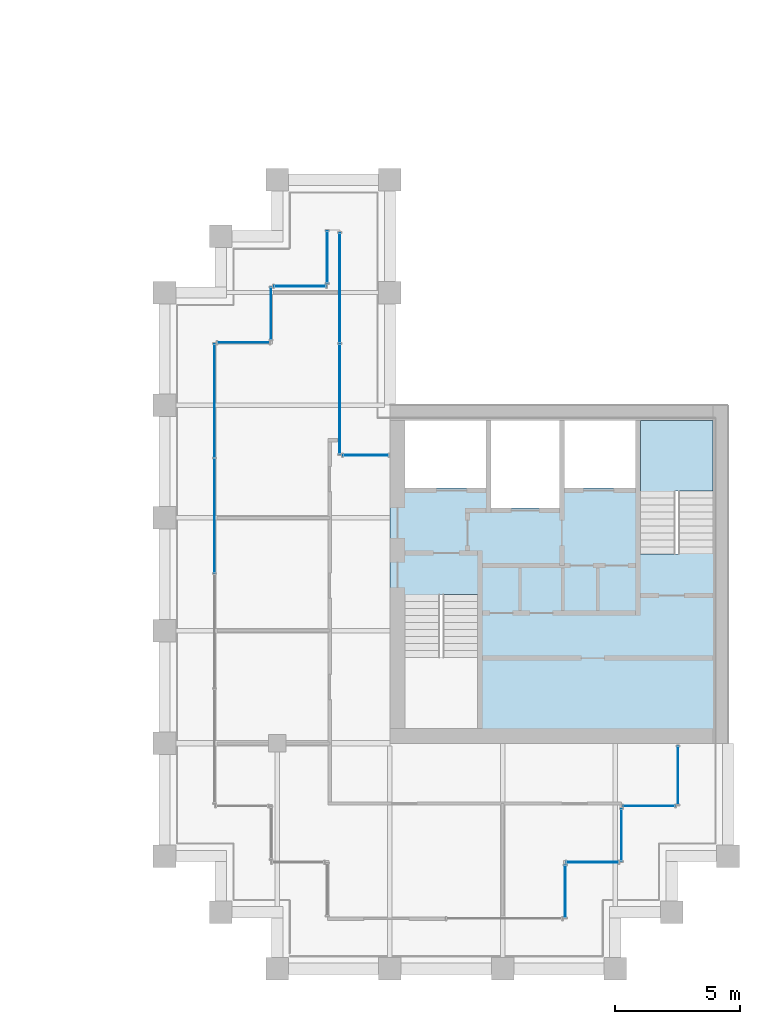
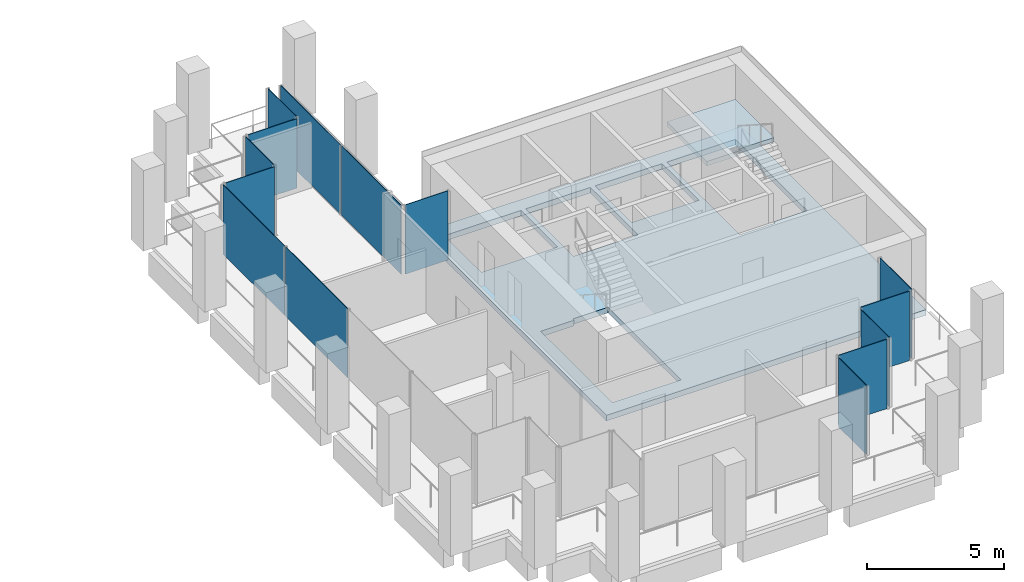
# One storey, part 35 of 40: 14 plates, 2 slabs, 13 elements without a shape of their own.
"""IFC4 building model written with IfcOpenShell, lengths in metres."""

from ifc_helpers import new_model, si_unit, direction, frame, origin, origin_2d, place, context, subcontext, project, spatial, polyline, rectangle, outline, extrude, material, layer, layer_set, type_object, element, aggregate, save


model = new_model("IFC4")

# Units and contexts
model_context = context("Model", 3, precision=1e-05, world=origin(), true_north=direction((0.0, 1.0)))
body_context = subcontext(model_context, "Body", "Model", "MODEL_VIEW")
ifc_project = project(units=[si_unit("LENGTHUNIT", "METRE"), si_unit("AREAUNIT", "SQUARE_METRE"), si_unit("VOLUMEUNIT", "CUBIC_METRE"), si_unit("PLANEANGLEUNIT", "RADIAN"), si_unit("MASSUNIT", "GRAM", prefix="KILO")], contexts=[model_context])

# Site, building, storey
site_placement = place(None, origin())
site = spatial("IfcSite", under=ifc_project, at=site_placement, CompositionType="ELEMENT")
building_placement = place(site_placement, origin())
building = spatial("IfcBuilding", under=site, at=building_placement, Name="Altepetl Exchange Towers", CompositionType="ELEMENT")
storey_placement = place(building_placement, frame((0.0, 0.0, 176.199951171875)))
storey = spatial("IfcBuildingStorey", under=building, at=storey_placement, Name="L44", CompositionType="ELEMENT", Elevation=176.199951171875)

# Slab
ifc_material_1 = material(Name="Concrete C40/50", Category="concrete")
ifc_layer_1 = layer(ifc_material_1, 0.25)
ifc_layer_set_1 = layer_set([ifc_layer_1], Name="Concrete C40/50")
slab_type_1 = type_object("IfcSlabType", Name="Core floor slab 250", PredefinedType="FLOOR", material=ifc_layer_set_1)
slab_1_placement = place(storey_placement, frame((0.0, 0.0, -0.25)))
element("IfcSlab", 1, at=slab_1_placement, inside=storey, type_object=slab_type_1, Name="slab:B:L44:core0", PredefinedType="FLOOR", context=body_context, shape_type="SweptSolid", body=[
    extrude(outline(polyline([(103.5, 36.0), (117.0, 36.0), (117.0, 49.5), (103.5, 49.5), (103.5, 36.0)]), holes=[polyline([(107.0, 36.60009765625), (104.10009765625, 36.60009765625), (104.10009765625, 41.85009765625), (105.5, 41.85009765625), (105.5, 41.948974609375), (107.0, 41.948974609375), (107.0, 36.60009765625)]), polyline([(113.5, 48.89990234375), (116.39990234375, 48.89990234375), (116.39990234375, 43.64990234375), (115.0, 43.64990234375), (115.0, 43.551025390625), (113.5, 43.551025390625), (113.5, 48.89990234375)]), polyline([(107.532958984375, 45.39990234375), (107.532958984375, 48.89990234375), (110.26708984375, 48.89990234375), (110.26708984375, 45.39990234375), (107.532958984375, 45.39990234375)]), polyline([(104.10009765625, 48.89990234375), (107.3330078125, 48.89990234375), (107.3330078125, 46.199951171875), (104.10009765625, 46.199951171875), (104.10009765625, 48.89990234375)]), polyline([(110.467041015625, 48.89990234375), (113.300048828125, 48.89990234375), (113.300048828125, 46.199951171875), (110.467041015625, 46.199951171875), (110.467041015625, 48.89990234375)])]), origin(), (0.0, 0.0, 1.0), 0.25),
])

# Curtain wall, plate
ifc_material_2 = material(Name="Aluminium 6063-T6 glazing", Category="aluminium")
curtain_wall_type = type_object("IfcCurtainWallType", Name="Loggia glazing system", PredefinedType="NOTDEFINED", material=ifc_material_2)
curtain_wall_1_placement = place(storey_placement, origin())
curtain_wall_1 = element("IfcCurtainWall", 2, at=curtain_wall_1_placement, inside=storey, type_object=curtain_wall_type, Name="CW1 run", PredefinedType="NOTDEFINED")
ifc_material_3 = material(Name="Glass 6-16-6 low emissivity", Category="glass")
ifc_layer_2 = layer(ifc_material_3, 0.028076171875)
ifc_layer_set_2 = layer_set([ifc_layer_2], Name="Glass 6-16-6 low emissivity")
plate_type = type_object("IfcPlateType", Name="Glass panel 28 double glazed", PredefinedType="CURTAIN_PANEL", material=ifc_layer_set_2)
plate_1_placement = place(storey_placement, frame((110.5, 30.08740234375, 0.0), z_axis=(0.0, 0.0, 1.0), x_axis=(0.0, 1.0, 0.0)))
plate_1 = element("IfcPlate", 3, at=plate_1_placement, type_object=plate_type, Name="GP1 panel", PredefinedType="CURTAIN_PANEL", context=body_context, shape_type="SweptSolid", body=[
    extrude(rectangle(XDim=2.054931640625, YDim=0.028076171875, at=origin_2d()), origin(), (0.0, 0.0, 1.0), 3.10009765625),
])
aggregate(curtain_wall_1, [plate_1])

curtain_wall_2_placement = place(storey_placement, origin())
curtain_wall_2 = element("IfcCurtainWall", 4, at=curtain_wall_2_placement, inside=storey, type_object=curtain_wall_type, Name="CW1 run", PredefinedType="NOTDEFINED")
plate_2_placement = place(storey_placement, frame((111.58740234375, 31.25, 0.0)))
plate_2 = element("IfcPlate", 5, at=plate_2_placement, type_object=plate_type, Name="GP1 panel", PredefinedType="CURTAIN_PANEL", context=body_context, shape_type="SweptSolid", body=[
    extrude(rectangle(XDim=2.054931640625, YDim=0.028076171875, at=origin_2d()), origin(), (0.0, 0.0, 1.0), 3.10009765625),
])
aggregate(curtain_wall_2, [plate_2])

curtain_wall_3_placement = place(storey_placement, origin())
curtain_wall_3 = element("IfcCurtainWall", 6, at=curtain_wall_3_placement, inside=storey, type_object=curtain_wall_type, Name="CW1 run", PredefinedType="NOTDEFINED")
plate_3_placement = place(storey_placement, frame((112.75, 32.33740234375, 0.0), z_axis=(0.0, 0.0, 1.0), x_axis=(0.0, 1.0, 0.0)))
plate_3 = element("IfcPlate", 7, at=plate_3_placement, type_object=plate_type, Name="GP1 panel", PredefinedType="CURTAIN_PANEL", context=body_context, shape_type="SweptSolid", body=[
    extrude(rectangle(XDim=2.054931640625, YDim=0.028076171875, at=origin_2d()), origin(), (0.0, 0.0, 1.0), 3.10009765625),
])
aggregate(curtain_wall_3, [plate_3])

curtain_wall_4_placement = place(storey_placement, origin())
curtain_wall_4 = element("IfcCurtainWall", 8, at=curtain_wall_4_placement, inside=storey, type_object=curtain_wall_type, Name="CW1 run", PredefinedType="NOTDEFINED")
plate_4_placement = place(storey_placement, frame((113.83740234375, 33.5, 0.0)))
plate_4 = element("IfcPlate", 9, at=plate_4_placement, type_object=plate_type, Name="GP1 panel", PredefinedType="CURTAIN_PANEL", context=body_context, shape_type="SweptSolid", body=[
    extrude(rectangle(XDim=2.054931640625, YDim=0.028076171875, at=origin_2d()), origin(), (0.0, 0.0, 1.0), 3.10009765625),
])
aggregate(curtain_wall_4, [plate_4])

curtain_wall_5_placement = place(storey_placement, origin())
curtain_wall_5 = element("IfcCurtainWall", 10, at=curtain_wall_5_placement, inside=storey, type_object=curtain_wall_type, Name="CW1 run", PredefinedType="NOTDEFINED")
plate_5_placement = place(storey_placement, frame((115.0, 34.71240234375, 0.0), z_axis=(0.0, 0.0, 1.0), x_axis=(0.0, 1.0, 0.0)))
plate_5 = element("IfcPlate", 11, at=plate_5_placement, type_object=plate_type, Name="GP1 panel", PredefinedType="CURTAIN_PANEL", context=body_context, shape_type="SweptSolid", body=[
    extrude(rectangle(XDim=2.304931640625, YDim=0.028076171875, at=origin_2d()), origin(), (0.0, 0.0, 1.0), 3.10009765625),
])
aggregate(curtain_wall_5, [plate_5])

curtain_wall_6_placement = place(storey_placement, origin())
curtain_wall_6 = element("IfcCurtainWall", 12, at=curtain_wall_6_placement, inside=storey, type_object=curtain_wall_type, Name="CW1 run", PredefinedType="NOTDEFINED")
plate_6_placement = place(storey_placement, frame((102.53759765625, 47.5, 0.0), z_axis=(0.0, 0.0, 1.0), x_axis=(-1.0, 0.0, 0.0)))
plate_6 = element("IfcPlate", 13, at=plate_6_placement, type_object=plate_type, Name="GP1 panel", PredefinedType="CURTAIN_PANEL", context=body_context, shape_type="SweptSolid", body=[
    extrude(rectangle(XDim=1.804931640625, YDim=0.028076171875, at=origin_2d()), origin(), (0.0, 0.0, 1.0), 3.10009765625),
])
aggregate(curtain_wall_6, [plate_6])

# Curtain wall, plates
curtain_wall_7_placement = place(storey_placement, origin())
curtain_wall_7 = element("IfcCurtainWall", 14, at=curtain_wall_7_placement, inside=storey, type_object=curtain_wall_type, Name="CW1 run", PredefinedType="NOTDEFINED")
plate_7_placement = place(storey_placement, frame((101.5, 49.746337890625, 0.0), z_axis=(0.0, 0.0, 1.0), x_axis=(0.0, 1.0, 0.0)))
plate_7 = element("IfcPlate", 15, at=plate_7_placement, type_object=plate_type, Name="GP1 panel", PredefinedType="CURTAIN_PANEL", context=body_context, shape_type="SweptSolid", body=[
    extrude(rectangle(XDim=4.37255859375, YDim=0.028076171875, at=origin_2d()), origin(), (0.0, 0.0, 1.0), 3.10009765625),
])
plate_8_placement = place(storey_placement, frame((101.5, 54.1787109375, 0.0), z_axis=(0.0, 0.0, 1.0), x_axis=(0.0, 1.0, 0.0)))
plate_8 = element("IfcPlate", 16, at=plate_8_placement, type_object=plate_type, Name="GP1 panel", PredefinedType="CURTAIN_PANEL", context=body_context, shape_type="SweptSolid", body=[
    extrude(rectangle(XDim=4.37255859375, YDim=0.028076171875, at=origin_2d()), origin(), (0.0, 0.0, 1.0), 3.10009765625),
])
aggregate(curtain_wall_7, [plate_7, plate_8])

# Curtain wall, plate
curtain_wall_8_placement = place(storey_placement, origin())
curtain_wall_8 = element("IfcCurtainWall", 17, at=curtain_wall_8_placement, inside=storey, type_object=curtain_wall_type, Name="CW1 run", PredefinedType="NOTDEFINED")
plate_9_placement = place(storey_placement, frame((101.0, 55.41259765625, 0.0), z_axis=(0.0, 0.0, 1.0), x_axis=(0.0, -1.0, 0.0)))
plate_9 = element("IfcPlate", 18, at=plate_9_placement, type_object=plate_type, Name="GP1 panel", PredefinedType="CURTAIN_PANEL", context=body_context, shape_type="SweptSolid", body=[
    extrude(rectangle(XDim=2.054931640625, YDim=0.028076171875, at=origin_2d()), origin(), (0.0, 0.0, 1.0), 3.10009765625),
])
aggregate(curtain_wall_8, [plate_9])

curtain_wall_9_placement = place(storey_placement, origin())
curtain_wall_9 = element("IfcCurtainWall", 19, at=curtain_wall_9_placement, inside=storey, type_object=curtain_wall_type, Name="CW1 run", PredefinedType="NOTDEFINED")
plate_10_placement = place(storey_placement, frame((99.91259765625, 54.25, 0.0), z_axis=(0.0, 0.0, 1.0), x_axis=(-1.0, 0.0, 0.0)))
plate_10 = element("IfcPlate", 20, at=plate_10_placement, type_object=plate_type, Name="GP1 panel", PredefinedType="CURTAIN_PANEL", context=body_context, shape_type="SweptSolid", body=[
    extrude(rectangle(XDim=2.054931640625, YDim=0.028076171875, at=origin_2d()), origin(), (0.0, 0.0, 1.0), 3.10009765625),
])
aggregate(curtain_wall_9, [plate_10])

curtain_wall_10_placement = place(storey_placement, origin())
curtain_wall_10 = element("IfcCurtainWall", 21, at=curtain_wall_10_placement, inside=storey, type_object=curtain_wall_type, Name="CW1 run", PredefinedType="NOTDEFINED")
plate_11_placement = place(storey_placement, frame((98.75, 53.16259765625, 0.0), z_axis=(0.0, 0.0, 1.0), x_axis=(0.0, -1.0, 0.0)))
plate_11 = element("IfcPlate", 22, at=plate_11_placement, type_object=plate_type, Name="GP1 panel", PredefinedType="CURTAIN_PANEL", context=body_context, shape_type="SweptSolid", body=[
    extrude(rectangle(XDim=2.054931640625, YDim=0.028076171875, at=origin_2d()), origin(), (0.0, 0.0, 1.0), 3.10009765625),
])
aggregate(curtain_wall_10, [plate_11])

curtain_wall_11_placement = place(storey_placement, origin())
curtain_wall_11 = element("IfcCurtainWall", 23, at=curtain_wall_11_placement, inside=storey, type_object=curtain_wall_type, Name="CW1 run", PredefinedType="NOTDEFINED")
plate_12_placement = place(storey_placement, frame((97.66259765625, 52.0, 0.0), z_axis=(0.0, 0.0, 1.0), x_axis=(-1.0, 0.0, 0.0)))
plate_12 = element("IfcPlate", 24, at=plate_12_placement, type_object=plate_type, Name="GP1 panel", PredefinedType="CURTAIN_PANEL", context=body_context, shape_type="SweptSolid", body=[
    extrude(rectangle(XDim=2.054931640625, YDim=0.028076171875, at=origin_2d()), origin(), (0.0, 0.0, 1.0), 3.10009765625),
])
aggregate(curtain_wall_11, [plate_12])

# Curtain wall, plates
curtain_wall_12_placement = place(storey_placement, origin())
curtain_wall_12 = element("IfcCurtainWall", 25, at=curtain_wall_12_placement, inside=storey, type_object=curtain_wall_type, Name="CW1 run", PredefinedType="NOTDEFINED")
plate_13_placement = place(storey_placement, frame((96.5, 49.681884765625, 0.0), z_axis=(0.0, 0.0, 1.0), x_axis=(0.0, -1.0, 0.0)))
plate_13 = element("IfcPlate", 26, at=plate_13_placement, type_object=plate_type, Name="GP1 panel", PredefinedType="CURTAIN_PANEL", context=body_context, shape_type="SweptSolid", body=[
    extrude(rectangle(XDim=4.516357421875, YDim=0.028076171875, at=origin_2d()), origin(), (0.0, 0.0, 1.0), 3.10009765625),
])
plate_14_placement = place(storey_placement, frame((96.5, 45.090576171875, 0.0), z_axis=(0.0, 0.0, 1.0), x_axis=(0.0, -1.0, 0.0)))
plate_14 = element("IfcPlate", 27, at=plate_14_placement, type_object=plate_type, Name="GP1 panel", PredefinedType="CURTAIN_PANEL", context=body_context, shape_type="SweptSolid", body=[
    extrude(rectangle(XDim=4.546142578125, YDim=0.028076171875, at=origin_2d()), origin(), (0.0, 0.0, 1.0), 3.10009765625),
])
aggregate(curtain_wall_12, [plate_13, plate_14])

# Stair, slab
stair_type = type_object("IfcStairType", Name="Exit stair 1400 flights dogleg", PredefinedType="HALF_TURN_STAIR", material=ifc_material_1)
stair_placement = place(storey_placement, origin())
stair = element("IfcStair", 28, at=stair_placement, inside=storey, type_object=stair_type, Name="Exit stair 2", PredefinedType="HALF_TURN_STAIR")
ifc_layer_3 = layer(ifc_material_1, 0.199951171875)
ifc_layer_set_3 = layer_set([ifc_layer_3], Name="Concrete C40/50")
slab_type_2 = type_object("IfcSlabType", Name="Stair landing 200 reinforced concrete", PredefinedType="LANDING", material=ifc_layer_set_3)
slab_2_placement = place(storey_placement, frame((0.0, 0.0, 1.60009765625)))
slab_2 = element("IfcSlab", 29, at=slab_2_placement, type_object=slab_type_2, Name="ST-B2e landing 1", PredefinedType="LANDING", context=body_context, shape_type="SweptSolid", body=[
    extrude(outline(polyline([(114.89990234375, 45.969970703125), (113.5, 45.969970703125), (113.5, 46.070068359375), (113.5, 48.89990234375), (116.39990234375, 48.89990234375), (116.39990234375, 46.070068359375), (116.39990234375, 46.0693359375), (115.0, 46.0693359375), (115.0, 46.070068359375), (114.89990234375, 46.070068359375), (114.89990234375, 45.969970703125)])), origin(), (0.0, 0.0, 1.0), 0.199951171875),
])
aggregate(stair, [slab_2])

save(model, "model.ifc")
